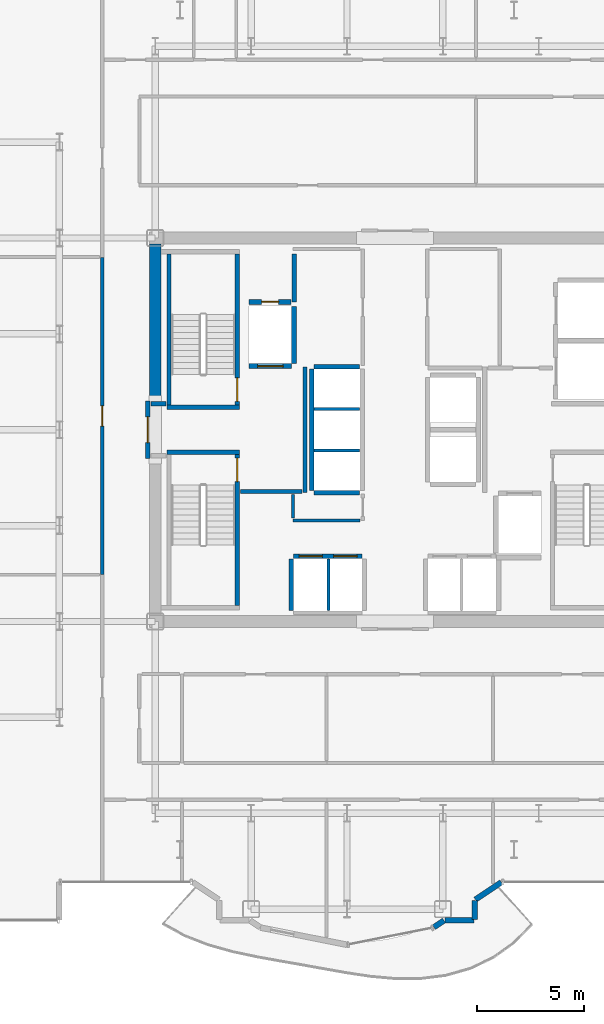
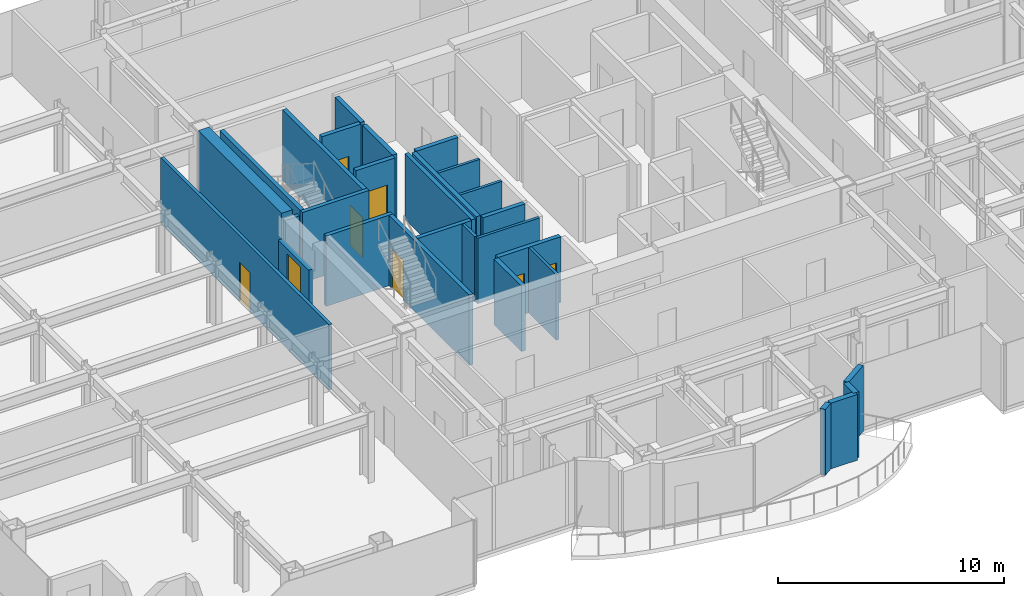
# One storey, part 19 of 25: 29 walls, 8 doors, 8 openings.
"""IFC4 building model written with IfcOpenShell, lengths in metres."""

from ifc_helpers import new_model, si_unit, direction, frame, frame_2d, origin, place, context, subcontext, project, spatial, rectangle, extrude, source, transform, mapped, material, layer, layer_set, type_object, element, fill, save


model = new_model("IFC4")

# Units and contexts
model_context = context("Model", 3, precision=1e-05, world=origin(), true_north=direction((0.0, 1.0)))
body_context = subcontext(model_context, "Body", "Model", "MODEL_VIEW")
ifc_project = project(units=[si_unit("LENGTHUNIT", "METRE"), si_unit("AREAUNIT", "SQUARE_METRE"), si_unit("VOLUMEUNIT", "CUBIC_METRE"), si_unit("PLANEANGLEUNIT", "RADIAN"), si_unit("MASSUNIT", "GRAM", prefix="KILO")], contexts=[model_context])

# Site, building, storey
site_placement = place(None, origin())
site = spatial("IfcSite", under=ifc_project, at=site_placement, CompositionType="ELEMENT")
building_placement = place(site_placement, origin())
building = spatial("IfcBuilding", under=site, at=building_placement, Name="Nefas-Gora Pilgrimage Tower", CompositionType="ELEMENT")
storey_placement = place(building_placement, frame((0.0, 0.0, 194.39990234375)))
storey = spatial("IfcBuildingStorey", under=building, at=storey_placement, Name="L48", CompositionType="ELEMENT", Elevation=194.39990234375)

# Walls
ifc_material_1 = material(Name="Concrete C60/75", Category="concrete")
ifc_layer_1 = layer(ifc_material_1, 0.550048828125)
ifc_layer_set_1 = layer_set([ifc_layer_1], Name="Concrete C60/75")
wall_type_1 = type_object("IfcWallType", Name="SW-CORE-550", PredefinedType="SHEAR", material=ifc_layer_set_1)
shared_shape_1 = source(origin(), body_context, "Body", "SweptSolid", [
    extrude(rectangle(XDim=7.375, YDim=0.550048828125, at=frame_2d((3.6875, 0.0))), origin(), (0.0, 0.0, 1.0), 3.800048828125),
])
wall_1_placement = place(storey_placement, frame((-11.25, 1.35009765625, 0.0), z_axis=(0.0, 0.0, 1.0), x_axis=(0.0, 1.0, 0.0)))
element("IfcWall", 1, at=wall_1_placement, inside=storey, type_object=wall_type_1, Name="L48 Core Shear Wall W-North", PredefinedType="SHEAR", context=body_context, shape_type="MappedRepresentation", body=[
    mapped(shared_shape_1, transform((0.0, 0.0, 0.0), x_axis=(1.0, 0.0, 0.0), y_axis=(0.0, 1.0, 0.0), z_axis=(0.0, 0.0, 1.0), scale=1.0)),
])
ifc_material_2 = material(Name="Precast concrete C40/50", Category="concrete")
ifc_layer_2 = layer(ifc_material_2, 0.260009765625)
ifc_layer_set_2 = layer_set([ifc_layer_2], Name="Precast concrete C40/50")
wall_type_2 = type_object("IfcWallType", Name="EW-PORTAL-260", PredefinedType="SOLIDWALL", material=ifc_layer_set_2)
shared_shape_2 = source(origin(), body_context, "Body", "SweptSolid", [
    extrude(rectangle(XDim=1.468994140625, YDim=0.260009765625, at=frame_2d((0.734375, 0.0))), origin(), (0.0, 0.0, 1.0), 3.550048828125),
])
wall_2_placement = place(storey_placement, frame((3.773193359375, -22.0517578125, 0.0), z_axis=(0.0, 0.0, 1.0), x_axis=(0.831461760506, 0.555581983884, 0.0)))
element("IfcWall", 2, at=wall_2_placement, inside=storey, type_object=wall_type_2, Name="L48 Lobe Shoulder Precast Spandrel Pier 42", PredefinedType="SOLIDWALL", context=body_context, shape_type="MappedRepresentation", body=[
    mapped(shared_shape_2, transform((0.0, 0.0, 0.0), x_axis=(1.0, 0.0, 0.0), y_axis=(0.0, 1.0, 0.0), z_axis=(0.0, 0.0, 1.0), scale=1.0)),
])
shared_shape_3 = source(origin(), body_context, "Body", "SweptSolid", [
    extrude(rectangle(XDim=0.896728515625, YDim=0.260009765625, at=frame_2d((0.4482421875, 0.0))), origin(), (0.0, 0.0, 1.0), 3.550048828125),
])
wall_3_placement = place(storey_placement, frame((3.75, -22.991943359375, 0.0), z_axis=(0.0, 0.0, 1.0), x_axis=(0.0, 1.0, 0.0)))
element("IfcWall", 3, at=wall_3_placement, inside=storey, type_object=wall_type_2, Name="L48 Lobe Shoulder Precast Spandrel Pier 41", PredefinedType="SOLIDWALL", context=body_context, shape_type="MappedRepresentation", body=[
    mapped(shared_shape_3, transform((0.0, 0.0, 0.0), x_axis=(1.0, 0.0, 0.0), y_axis=(0.0, 1.0, 0.0), z_axis=(0.0, 0.0, 1.0), scale=1.0)),
])
shared_shape_4 = source(origin(), body_context, "Body", "SweptSolid", [
    extrude(rectangle(XDim=1.369873046875, YDim=0.260009765625, at=frame_2d((0.68505859375, 0.0))), origin(), (0.0, 0.0, 1.0), 3.550048828125),
])
wall_4_placement = place(storey_placement, frame((2.35205078125, -23.02001953125, 0.0), z_axis=(0.0, 0.0, 1.0), x_axis=(1.0, 0.0, 0.0)))
element("IfcWall", 4, at=wall_4_placement, inside=storey, type_object=wall_type_2, Name="L48 Lobe Shoulder Precast Spandrel Pier 40", PredefinedType="SOLIDWALL", context=body_context, shape_type="MappedRepresentation", body=[
    mapped(shared_shape_4, transform((0.0, 0.0, 0.0), x_axis=(1.0, 0.0, 0.0), y_axis=(0.0, 1.0, 0.0), z_axis=(0.0, 0.0, 1.0), scale=1.0)),
])
shared_shape_5 = source(origin(), body_context, "Body", "SweptSolid", [
    extrude(rectangle(XDim=0.5654296875, YDim=0.260009765625, at=frame_2d((0.28271484375, 0.0))), origin(), (0.0, 0.0, 1.0), 3.550048828125),
])
wall_5_placement = place(storey_placement, frame((1.83056640625, -23.349609375, 0.0), z_axis=(0.0, 0.0, 1.0), x_axis=(0.831651492666, 0.555297933317, 0.0)))
element("IfcWall", 5, at=wall_5_placement, inside=storey, type_object=wall_type_2, Name="L48 Lobe Shoulder Precast Spandrel Pier 39", PredefinedType="SOLIDWALL", context=body_context, shape_type="MappedRepresentation", body=[
    mapped(shared_shape_5, transform((0.0, 0.0, 0.0), x_axis=(1.0, 0.0, 0.0), y_axis=(0.0, 1.0, 0.0), z_axis=(0.0, 0.0, 1.0), scale=1.0)),
])
ifc_material_3 = material(Name="Concrete C45/55", Category="concrete")
ifc_layer_3 = layer(ifc_material_3, 0.199951171875)
ifc_layer_set_3 = layer_set([ifc_layer_3], Name="Concrete C45/55")
wall_type_3 = type_object("IfcWallType", Name="IW-STAIR-200", PredefinedType="SOLIDWALL", material=ifc_layer_set_3)
shared_shape_6 = source(origin(), body_context, "Body", "SweptSolid", [
    extrude(rectangle(XDim=3.39990234375, YDim=0.199951171875, at=frame_2d((1.699951171875, 0.0))), origin(), (0.0, 0.0, 1.0), 3.800048828125),
])
for number, where, z_axis, x_axis, name in (
    (6, (-7.300048828125, 1.050048828125, 0.0), (0.0, 0.0, 1.0), (-1.0, 0.0, 0.0), "L48 Stairwell Shear Wall ST-01-near"),
    (7, (-10.699951171875, -1.050048828125, 0.0), (0.0, 0.0, 1.0), (1.0, 0.0, 0.0), "L48 Stairwell Shear Wall ST-03-near"),
):
    element("IfcWall", number, at=place(storey_placement, frame(where, z_axis=z_axis, x_axis=x_axis)), inside=storey, type_object=wall_type_3, Name=name, PredefinedType="SOLIDWALL", context=body_context, shape_type="MappedRepresentation", body=[
        mapped(shared_shape_6, transform((0.0, 0.0, 0.0), x_axis=(1.0, 0.0, 0.0), y_axis=(0.0, 1.0, 0.0), z_axis=(0.0, 0.0, 1.0), scale=1.0)),
    ])

# Wall, opening, door
shared_shape_7 = source(origin(), body_context, "Body", "SweptSolid", [
    extrude(rectangle(XDim=7.10009765625, YDim=0.199951171875, at=frame_2d((3.550048828125, 0.0))), origin(), (0.0, 0.0, 1.0), 3.800048828125),
])
wall_6_placement = place(storey_placement, frame((-7.39990234375, 1.14990234375, 0.0), z_axis=(0.0, 0.0, 1.0), x_axis=(0.0, 1.0, 0.0)))
wall_6 = element("IfcWall", 8, at=wall_6_placement, inside=storey, type_object=wall_type_3, Name="L48 Stairwell Shear Wall ST-01-left", PredefinedType="SOLIDWALL", context=body_context, shape_type="MappedRepresentation", body=[
    mapped(shared_shape_7, transform((0.0, 0.0, 0.0), x_axis=(1.0, 0.0, 0.0), y_axis=(0.0, 1.0, 0.0), z_axis=(0.0, 0.0, 1.0), scale=1.0)),
])
opening_1_placement = place(wall_6_placement, frame((0.179931640625, 0.0, 0.0)))
opening_1 = element("IfcOpeningElement", 9, at=opening_1_placement, cuts=wall_6, Name="Opening ID-ST1", PredefinedType="OPENING", context=body_context, shape_type="SweptSolid", body=[
    extrude(rectangle(XDim=1.10009765625, YDim=2.14990234375, at=frame_2d((0.550048828125, 1.074951171875))), frame((0.0, 0.10986328125, 0.0), z_axis=(0.0, -1.0, 0.0), x_axis=(1.0, 0.0, 0.0)), (0.0, 0.0, 1.0), 0.219970703125),
])
ifc_material_4 = material(Name="Painted galvanised steel fire stair door", Category="steel")
door_type_1 = type_object("IfcDoorType", Name="DR-INT-STAIR-1100", OperationType="NOTDEFINED", PredefinedType="DOOR", material=ifc_material_4)
shared_shape_8 = source(origin(), body_context, "Body", "SweptSolid", [
    extrude(rectangle(XDim=1.10009765625, YDim=2.14990234375, at=frame_2d((0.550048828125, 1.074951171875))), frame((0.0, 0.02490234375, 0.0), z_axis=(0.0, -1.0, 0.0), x_axis=(1.0, 0.0, 0.0)), (0.0, 0.0, 1.0), 0.050048828125),
])
door_1_placement = place(opening_1_placement, origin())
door_1 = element("IfcDoor", 10, at=door_1_placement, inside=storey, type_object=door_type_1, Name="L48 Protected Exit Stair Door ST-01", OperationType="SINGLE_SWING_RIGHT", OverallHeight=2.14990234375, OverallWidth=1.10009765625, PredefinedType="DOOR", context=body_context, shape_type="MappedRepresentation", body=[
    mapped(shared_shape_8, transform((0.0, 0.0, 0.0), x_axis=(1.0, 0.0, 0.0), y_axis=(0.0, 1.0, 0.0), z_axis=(0.0, 0.0, 1.0), scale=1.0)),
])
fill(opening_1, door_1)

# Wall
wall_7_placement = place(storey_placement, frame((-10.60009765625, 1.14990234375, 0.0), z_axis=(0.0, 0.0, 1.0), x_axis=(0.0, 1.0, 0.0)))
element("IfcWall", 11, at=wall_7_placement, inside=storey, type_object=wall_type_3, Name="L48 Stairwell Shear Wall ST-01-right", PredefinedType="SOLIDWALL", context=body_context, shape_type="MappedRepresentation", body=[
    mapped(shared_shape_7, transform((0.0, 0.0, 0.0), x_axis=(1.0, 0.0, 0.0), y_axis=(0.0, 1.0, 0.0), z_axis=(0.0, 0.0, 1.0), scale=1.0)),
])

# Wall, opening, door
wall_8_placement = place(storey_placement, frame((-7.39990234375, -1.14990234375, 0.0), z_axis=(0.0, 0.0, 1.0), x_axis=(0.0, -1.0, 0.0)))
wall_8 = element("IfcWall", 12, at=wall_8_placement, inside=storey, type_object=wall_type_3, Name="L48 Stairwell Shear Wall ST-03-right", PredefinedType="SOLIDWALL", context=body_context, shape_type="MappedRepresentation", body=[
    mapped(shared_shape_7, transform((0.0, 0.0, 0.0), x_axis=(1.0, 0.0, 0.0), y_axis=(0.0, 1.0, 0.0), z_axis=(0.0, 0.0, 1.0), scale=1.0)),
])
opening_2_placement = place(wall_8_placement, frame((0.179931640625, 0.0, 0.0)))
opening_2 = element("IfcOpeningElement", 13, at=opening_2_placement, cuts=wall_8, Name="Opening ID-ST1", PredefinedType="OPENING", context=body_context, shape_type="SweptSolid", body=[
    extrude(rectangle(XDim=1.10009765625, YDim=2.14990234375, at=frame_2d((0.550048828125, 1.074951171875))), frame((0.0, 0.10986328125, 0.0), z_axis=(0.0, -1.0, 0.0), x_axis=(1.0, 0.0, 0.0)), (0.0, 0.0, 1.0), 0.219970703125),
])
door_2_placement = place(opening_2_placement, origin())
door_2 = element("IfcDoor", 14, at=door_2_placement, inside=storey, type_object=door_type_1, Name="L48 Protected Exit Stair Door ST-03", OperationType="SINGLE_SWING_RIGHT", OverallHeight=2.14990234375, OverallWidth=1.10009765625, PredefinedType="DOOR", context=body_context, shape_type="MappedRepresentation", body=[
    mapped(shared_shape_8, transform((0.0, 0.0, 0.0), x_axis=(1.0, 0.0, 0.0), y_axis=(0.0, 1.0, 0.0), z_axis=(0.0, 0.0, 1.0), scale=1.0)),
])
fill(opening_2, door_2)

ifc_material_5 = material(Name="Concrete C40/50", Category="concrete")
ifc_layer_4 = layer(ifc_material_5, 0.219970703125)
ifc_layer_set_4 = layer_set([ifc_layer_4], Name="Concrete C40/50")
wall_type_4 = type_object("IfcWallType", Name="IW-SHAFT-220", PredefinedType="SOLIDWALL", material=ifc_layer_set_4)
shared_shape_9 = source(origin(), body_context, "Body", "SweptSolid", [
    extrude(rectangle(XDim=2.0, YDim=0.219970703125, at=frame_2d((1.0, 0.0))), origin(), (0.0, 0.0, 1.0), 3.53515625),
])
wall_9_placement = place(storey_placement, frame((-6.85009765625, 2.989990234375, 0.0), z_axis=(0.0, 0.0, 1.0), x_axis=(1.0, 0.0, 0.0)))
wall_9 = element("IfcWall", 15, at=wall_9_placement, inside=storey, type_object=wall_type_4, Name="L48 Hoistway Wall FFL-01-S", PredefinedType="SOLIDWALL", context=body_context, shape_type="MappedRepresentation", body=[
    mapped(shared_shape_9, transform((0.0, 0.0, 0.0), x_axis=(1.0, 0.0, 0.0), y_axis=(0.0, 1.0, 0.0), z_axis=(0.0, 0.0, 1.0), scale=1.0)),
])
opening_3_placement = place(wall_9_placement, frame((0.39990234375, 0.0, 0.0)))
opening_3 = element("IfcOpeningElement", 16, at=opening_3_placement, cuts=wall_9, Name="Opening LD-FF", PredefinedType="OPENING", context=body_context, shape_type="SweptSolid", body=[
    extrude(rectangle(XDim=1.199951171875, YDim=2.199951171875, at=frame_2d((0.60009765625, 1.10009765625))), frame((0.0, 0.119873046875, 0.0), z_axis=(0.0, -1.0, 0.0), x_axis=(1.0, 0.0, 0.0)), (0.0, 0.0, 1.0), 0.239990234375),
])
ifc_material_6 = material(Name="Fire-service sliding lift landing door")
door_type_2 = type_object("IfcDoorType", Name="DR-LIFT-FSAE-1200", OperationType="SLIDING_TO_LEFT", PredefinedType="DOOR", material=ifc_material_6)
shared_shape_10 = source(origin(), body_context, "Body", "SweptSolid", [
    extrude(rectangle(XDim=1.199951171875, YDim=2.199951171875, at=frame_2d((0.60009765625, 1.10009765625))), frame((0.0, 0.02490234375, 0.0), z_axis=(0.0, -1.0, 0.0), x_axis=(1.0, 0.0, 0.0)), (0.0, 0.0, 1.0), 0.050048828125),
])
door_3_placement = place(opening_3_placement, origin())
door_3 = element("IfcDoor", 17, at=door_3_placement, inside=storey, type_object=door_type_2, Name="L48 Sliding Lift Landing Door FFL-01", OperationType="SLIDING_TO_LEFT", OverallHeight=2.199951171875, OverallWidth=1.199951171875, PredefinedType="DOOR", context=body_context, shape_type="MappedRepresentation", body=[
    mapped(shared_shape_10, transform((0.0, 0.0, 0.0), x_axis=(1.0, 0.0, 0.0), y_axis=(0.0, 1.0, 0.0), z_axis=(0.0, 0.0, 1.0), scale=1.0)),
])
fill(opening_3, door_3)

# Wall
shared_shape_11 = source(origin(), body_context, "Body", "SweptSolid", [
    extrude(rectangle(XDim=2.679931640625, YDim=0.219970703125, at=frame_2d((1.33984375, 0.0))), origin(), (0.0, 0.0, 1.0), 3.53515625),
])
wall_10_placement = place(storey_placement, frame((-4.739990234375, 3.110107421875, 0.0), z_axis=(0.0, 0.0, 1.0), x_axis=(0.0, 1.0, 0.0)))
element("IfcWall", 18, at=wall_10_placement, inside=storey, type_object=wall_type_4, Name="L48 Hoistway Wall FFL-01-E", PredefinedType="SOLIDWALL", context=body_context, shape_type="MappedRepresentation", body=[
    mapped(shared_shape_11, transform((0.0, 0.0, 0.0), x_axis=(1.0, 0.0, 0.0), y_axis=(0.0, 1.0, 0.0), z_axis=(0.0, 0.0, 1.0), scale=1.0)),
])

# Wall, openings, doors
shared_shape_12 = source(origin(), body_context, "Body", "SweptSolid", [
    extrude(rectangle(XDim=3.199951171875, YDim=0.219970703125, at=frame_2d((1.60009765625, 0.0))), origin(), (0.0, 0.0, 1.0), 3.53515625),
])
wall_11_placement = place(storey_placement, frame((-1.550048828125, -5.93994140625, 0.0), z_axis=(0.0, 0.0, 1.0), x_axis=(-1.0, 0.0, 0.0)))
wall_11 = element("IfcWall", 19, at=wall_11_placement, inside=storey, type_object=wall_type_4, Name="L48 Hoistway Wall PL2-W-N", PredefinedType="SOLIDWALL", context=body_context, shape_type="MappedRepresentation", body=[
    mapped(shared_shape_12, transform((0.0, 0.0, 0.0), x_axis=(1.0, 0.0, 0.0), y_axis=(0.0, 1.0, 0.0), z_axis=(0.0, 0.0, 1.0), scale=1.0)),
])
opening_4_placement = place(wall_11_placement, frame((1.85009765625, 0.0, 0.0)))
opening_4 = element("IfcOpeningElement", 20, at=opening_4_placement, cuts=wall_11, Name="Opening LD-01", PredefinedType="OPENING", context=body_context, shape_type="SweptSolid", body=[
    extrude(rectangle(XDim=1.10009765625, YDim=2.199951171875, at=frame_2d((0.550048828125, 1.10009765625))), frame((0.0, 0.119873046875, 0.0), z_axis=(0.0, -1.0, 0.0), x_axis=(1.0, 0.0, 0.0)), (0.0, 0.0, 1.0), 0.239990234375),
])
opening_5_placement = place(wall_11_placement, frame((0.22509765625, 0.0, 0.0)))
opening_5 = element("IfcOpeningElement", 21, at=opening_5_placement, cuts=wall_11, Name="Opening LD-01", PredefinedType="OPENING", context=body_context, shape_type="SweptSolid", body=[
    extrude(rectangle(XDim=1.10009765625, YDim=2.199951171875, at=frame_2d((0.550048828125, 1.10009765625))), frame((0.0, 0.119873046875, 0.0), z_axis=(0.0, -1.0, 0.0), x_axis=(1.0, 0.0, 0.0)), (0.0, 0.0, 1.0), 0.239990234375),
])
ifc_material_7 = material(Name="Brushed stainless sliding lift landing door")
door_type_3 = type_object("IfcDoorType", Name="DR-LIFT-PASS-1100", OperationType="DOUBLE_DOOR_SLIDING", PredefinedType="DOOR", material=ifc_material_7)
shared_shape_13 = source(origin(), body_context, "Body", "SweptSolid", [
    extrude(rectangle(XDim=1.10009765625, YDim=2.199951171875, at=frame_2d((0.550048828125, 1.10009765625))), frame((0.0, 0.02490234375, 0.0), z_axis=(0.0, -1.0, 0.0), x_axis=(1.0, 0.0, 0.0)), (0.0, 0.0, 1.0), 0.050048828125),
])
door_4_placement = place(opening_4_placement, origin())
door_4 = element("IfcDoor", 22, at=door_4_placement, inside=storey, type_object=door_type_3, Name="L48 Sliding Lift Landing Door PL2-01", OperationType="DOUBLE_DOOR_SLIDING", OverallHeight=2.199951171875, OverallWidth=1.10009765625, PredefinedType="DOOR", context=body_context, shape_type="MappedRepresentation", body=[
    mapped(shared_shape_13, transform((0.0, 0.0, 0.0), x_axis=(1.0, 0.0, 0.0), y_axis=(0.0, 1.0, 0.0), z_axis=(0.0, 0.0, 1.0), scale=1.0)),
])
fill(opening_4, door_4)
door_5_placement = place(opening_5_placement, origin())
door_5 = element("IfcDoor", 23, at=door_5_placement, inside=storey, type_object=door_type_3, Name="L48 Sliding Lift Landing Door PL2-02", OperationType="DOUBLE_DOOR_SLIDING", OverallHeight=2.199951171875, OverallWidth=1.10009765625, PredefinedType="DOOR", context=body_context, shape_type="MappedRepresentation", body=[
    mapped(shared_shape_13, transform((0.0, 0.0, 0.0), x_axis=(1.0, 0.0, 0.0), y_axis=(0.0, 1.0, 0.0), z_axis=(0.0, 0.0, 1.0), scale=1.0)),
])
fill(opening_5, door_5)

# Walls
shared_shape_14 = source(origin(), body_context, "Body", "SweptSolid", [
    extrude(rectangle(XDim=2.429931640625, YDim=0.219970703125, at=frame_2d((1.21484375, 0.0))), origin(), (0.0, 0.0, 1.0), 3.53515625),
])
wall_12_placement = place(storey_placement, frame((-4.860107421875, -6.06005859375, 0.0), z_axis=(0.0, 0.0, 1.0), x_axis=(0.0, -1.0, 0.0)))
element("IfcWall", 24, at=wall_12_placement, inside=storey, type_object=wall_type_4, Name="L48 Hoistway Wall PL2-W-W", PredefinedType="SOLIDWALL", context=body_context, shape_type="MappedRepresentation", body=[
    mapped(shared_shape_14, transform((0.0, 0.0, 0.0), x_axis=(1.0, 0.0, 0.0), y_axis=(0.0, 1.0, 0.0), z_axis=(0.0, 0.0, 1.0), scale=1.0)),
])
ifc_material_8 = material(Name="Gypsum twin-stud partition")
ifc_layer_5 = layer(ifc_material_8, 0.139892578125)
ifc_layer_set_5 = layer_set([ifc_layer_5], Name="Gypsum twin-stud partition")
wall_type_5 = type_object("IfcWallType", Name="IW-UNIT-140", PredefinedType="PARTITIONING", material=ifc_layer_set_5)
shared_shape_15 = source(origin(), body_context, "Body", "SweptSolid", [
    extrude(rectangle(XDim=2.429931640625, YDim=0.139892578125, at=frame_2d((1.21484375, 0.0))), origin(), (0.0, 0.0, 1.0), 3.53515625),
])
wall_13_placement = place(storey_placement, frame((-3.125, -8.489990234375, 0.0), z_axis=(0.0, 0.0, 1.0), x_axis=(0.0, 1.0, 0.0)))
element("IfcWall", 25, at=wall_13_placement, inside=storey, type_object=wall_type_5, Name="L48 Hoistway Wall PL2-W-DIV", PredefinedType="PARTITIONING", context=body_context, shape_type="MappedRepresentation", body=[
    mapped(shared_shape_15, transform((0.0, 0.0, 0.0), x_axis=(1.0, 0.0, 0.0), y_axis=(0.0, 1.0, 0.0), z_axis=(0.0, 0.0, 1.0), scale=1.0)),
])
shared_shape_16 = source(origin(), body_context, "Body", "SweptSolid", [
    extrude(rectangle(XDim=5.7001953125, YDim=0.219970703125, at=frame_2d((2.85009765625, 0.0))), origin(), (0.0, 0.0, 1.0), 3.53515625),
])
wall_14_placement = place(storey_placement, frame((-3.909912109375, 2.85009765625, 0.0), z_axis=(0.0, 0.0, 1.0), x_axis=(0.0, -1.0, 0.0)))
element("IfcWall", 26, at=wall_14_placement, inside=storey, type_object=wall_type_4, Name="L48 Hoistway Wall PL3-01-03-W", PredefinedType="SOLIDWALL", context=body_context, shape_type="MappedRepresentation", body=[
    mapped(shared_shape_16, transform((0.0, 0.0, 0.0), x_axis=(1.0, 0.0, 0.0), y_axis=(0.0, 1.0, 0.0), z_axis=(0.0, 0.0, 1.0), scale=1.0)),
])
shared_shape_17 = source(origin(), body_context, "Body", "SweptSolid", [
    extrude(rectangle(XDim=2.130126953125, YDim=0.219970703125, at=frame_2d((1.06494140625, 0.0))), origin(), (0.0, 0.0, 1.0), 3.53515625),
])
for number, where, z_axis, x_axis, name in (
    (27, (-3.7900390625, -2.9599609375, 0.0), (0.0, 0.0, 1.0), (1.0, 0.0, 0.0), "L48 Hoistway Wall PL3-01-S"),
    (28, (-1.659912109375, 2.9599609375, 0.0), (0.0, 0.0, 1.0), (-1.0, 0.0, 0.0), "L48 Hoistway Wall PL3-03-N"),
):
    element("IfcWall", number, at=place(storey_placement, frame(where, z_axis=z_axis, x_axis=x_axis)), inside=storey, type_object=wall_type_4, Name=name, PredefinedType="SOLIDWALL", context=body_context, shape_type="MappedRepresentation", body=[
        mapped(shared_shape_17, transform((0.0, 0.0, 0.0), x_axis=(1.0, 0.0, 0.0), y_axis=(0.0, 1.0, 0.0), z_axis=(0.0, 0.0, 1.0), scale=1.0)),
    ])
shared_shape_18 = source(origin(), body_context, "Body", "SweptSolid", [
    extrude(rectangle(XDim=2.130126953125, YDim=0.139892578125, at=frame_2d((1.06494140625, 0.0))), origin(), (0.0, 0.0, 1.0), 3.53515625),
])
for number, where, z_axis, x_axis, name in (
    (29, (-3.7900390625, -0.97509765625, 0.0), (0.0, 0.0, 1.0), (1.0, 0.0, 0.0), "L48 Hoistway Wall PL3-01-02-DIV"),
    (30, (-3.7900390625, 0.97509765625, 0.0), (0.0, 0.0, 1.0), (1.0, 0.0, 0.0), "L48 Hoistway Wall PL3-02-03-DIV"),
):
    element("IfcWall", number, at=place(storey_placement, frame(where, z_axis=z_axis, x_axis=x_axis)), inside=storey, type_object=wall_type_5, Name=name, PredefinedType="PARTITIONING", context=body_context, shape_type="MappedRepresentation", body=[
        mapped(shared_shape_18, transform((0.0, 0.0, 0.0), x_axis=(1.0, 0.0, 0.0), y_axis=(0.0, 1.0, 0.0), z_axis=(0.0, 0.0, 1.0), scale=1.0)),
    ])

# Wall, opening, door
ifc_material_9 = material(Name="Gypsum fire-rated shaftwall")
ifc_layer_6 = layer(ifc_material_9, 0.199951171875)
ifc_layer_set_6 = layer_set([ifc_layer_6], Name="Gypsum fire-rated shaftwall")
wall_type_6 = type_object("IfcWallType", Name="IW-FFLOB-200", PredefinedType="PARTITIONING", material=ifc_layer_set_6)
shared_shape_19 = source(origin(), body_context, "Body", "SweptSolid", [
    extrude(rectangle(XDim=2.7001953125, YDim=0.199951171875, at=frame_2d((1.35009765625, 0.0))), origin(), (0.0, 0.0, 1.0), 2.425048828125),
])
wall_15_placement = place(storey_placement, frame((-11.60009765625, -1.35009765625, 0.0), z_axis=(0.0, 0.0, 1.0), x_axis=(0.0, 1.0, 0.0)))
wall_15 = element("IfcWall", 31, at=wall_15_placement, inside=storey, type_object=wall_type_6, Name="L48 FF Lobby West Portal Wall 4", PredefinedType="PARTITIONING", context=body_context, shape_type="MappedRepresentation", body=[
    mapped(shared_shape_19, transform((0.0, 0.0, 0.0), x_axis=(1.0, 0.0, 0.0), y_axis=(0.0, 1.0, 0.0), z_axis=(0.0, 0.0, 1.0), scale=1.0)),
])
opening_6_placement = place(wall_15_placement, frame((0.75, 0.0, 0.0)))
opening_6 = element("IfcOpeningElement", 32, at=opening_6_placement, cuts=wall_15, Name="Opening ID-FF1", PredefinedType="OPENING", context=body_context, shape_type="SweptSolid", body=[
    extrude(rectangle(XDim=1.199951171875, YDim=2.14990234375, at=frame_2d((0.60009765625, 1.074951171875))), frame((0.0, 0.10986328125, 0.0), z_axis=(0.0, -1.0, 0.0), x_axis=(1.0, 0.0, 0.0)), (0.0, 0.0, 1.0), 0.219970703125),
])
ifc_material_10 = material(Name="Smoke-sealed steel firefighting lobby door", Category="steel")
door_type_4 = type_object("IfcDoorType", Name="DR-INT-FFLOB-1200", OperationType="NOTDEFINED", PredefinedType="DOOR", material=ifc_material_10)
shared_shape_20 = source(origin(), body_context, "Body", "SweptSolid", [
    extrude(rectangle(XDim=1.199951171875, YDim=2.14990234375, at=frame_2d((0.60009765625, 1.074951171875))), frame((0.0, 0.02490234375, 0.0), z_axis=(0.0, -1.0, 0.0), x_axis=(1.0, 0.0, 0.0)), (0.0, 0.0, 1.0), 0.050048828125),
])
door_6_placement = place(opening_6_placement, origin())
door_6 = element("IfcDoor", 33, at=door_6_placement, inside=storey, type_object=door_type_4, Name="L48 FF Lobby West Portal Door 2", OperationType="SINGLE_SWING_LEFT", OverallHeight=2.14990234375, OverallWidth=1.199951171875, PredefinedType="DOOR", context=body_context, shape_type="MappedRepresentation", body=[
    mapped(shared_shape_20, transform((0.0, 0.0, 0.0), x_axis=(1.0, 0.0, 0.0), y_axis=(0.0, 1.0, 0.0), z_axis=(0.0, 0.0, 1.0), scale=1.0)),
])
fill(opening_6, door_6)

# Walls
shared_shape_21 = source(origin(), body_context, "Body", "SweptSolid", [
    extrude(rectangle(XDim=5.89990234375, YDim=0.199951171875, at=frame_2d((2.949951171875, 0.0))), origin(), (0.0, 0.0, 1.0), 3.53515625),
])
wall_16_placement = place(storey_placement, frame((-4.219970703125, -2.949951171875, 0.0), z_axis=(0.0, 0.0, 1.0), x_axis=(0.0, 1.0, 0.0)))
element("IfcWall", 34, at=wall_16_placement, inside=storey, type_object=wall_type_6, Name="L48 FF Lobby West Inner Wall Wall 5", PredefinedType="PARTITIONING", context=body_context, shape_type="MappedRepresentation", body=[
    mapped(shared_shape_21, transform((0.0, 0.0, 0.0), x_axis=(1.0, 0.0, 0.0), y_axis=(0.0, 1.0, 0.0), z_axis=(0.0, 0.0, 1.0), scale=1.0)),
])
shared_shape_22 = source(origin(), body_context, "Body", "SweptSolid", [
    extrude(rectangle(XDim=2.89990234375, YDim=0.199951171875, at=frame_2d((1.449951171875, 0.0))), origin(), (0.0, 0.0, 1.0), 3.53515625),
])
wall_17_placement = place(storey_placement, frame((-7.260009765625, -2.89990234375, 0.0), z_axis=(0.0, 0.0, 1.0), x_axis=(1.0, 0.0, 0.0)))
element("IfcWall", 35, at=wall_17_placement, inside=storey, type_object=wall_type_6, Name="L48 FF Lobby West South Wall Wall 6", PredefinedType="PARTITIONING", context=body_context, shape_type="MappedRepresentation", body=[
    mapped(shared_shape_22, transform((0.0, 0.0, 0.0), x_axis=(1.0, 0.0, 0.0), y_axis=(0.0, 1.0, 0.0), z_axis=(0.0, 0.0, 1.0), scale=1.0)),
])
shared_shape_23 = source(origin(), body_context, "Body", "SweptSolid", [
    extrude(rectangle(XDim=0.719970703125, YDim=0.199951171875, at=frame_2d((0.35986328125, 0.0))), origin(), (0.0, 0.0, 1.0), 3.53515625),
])
wall_18_placement = place(storey_placement, frame((-11.4599609375, 1.219970703125, 0.0), z_axis=(0.0, 0.0, 1.0), x_axis=(1.0, 0.0, 0.0)))
element("IfcWall", 36, at=wall_18_placement, inside=storey, type_object=wall_type_6, Name="L48 FF Lobby West Throat N Wall 7", PredefinedType="PARTITIONING", context=body_context, shape_type="MappedRepresentation", body=[
    mapped(shared_shape_23, transform((0.0, 0.0, 0.0), x_axis=(1.0, 0.0, 0.0), y_axis=(0.0, 1.0, 0.0), z_axis=(0.0, 0.0, 1.0), scale=1.0)),
])
shared_shape_24 = source(origin(), body_context, "Body", "SweptSolid", [
    extrude(rectangle(XDim=3.150146484375, YDim=0.139892578125, at=frame_2d((1.5751953125, 0.0))), origin(), (0.0, 0.0, 1.0), 3.53515625),
])
wall_19_placement = place(storey_placement, frame((-4.7900390625, -4.25, 0.0), z_axis=(0.0, 0.0, 1.0), x_axis=(1.0, 0.0, 0.0)))
element("IfcWall", 37, at=wall_19_placement, inside=storey, type_object=wall_type_5, Name="L48 Pilgrim Baggage and Gear Vault Partition Wall 21", PredefinedType="PARTITIONING", context=body_context, shape_type="MappedRepresentation", body=[
    mapped(shared_shape_24, transform((0.0, 0.0, 0.0), x_axis=(1.0, 0.0, 0.0), y_axis=(0.0, 1.0, 0.0), z_axis=(0.0, 0.0, 1.0), scale=1.0)),
])
shared_shape_25 = source(origin(), body_context, "Body", "SweptSolid", [
    extrude(rectangle(XDim=2.25, YDim=0.219970703125, at=frame_2d((1.125, 0.0))), origin(), (0.0, 0.0, 1.0), 3.53515625),
])
wall_20_placement = place(storey_placement, frame((-4.719970703125, 6.0, 0.0), z_axis=(0.0, 0.0, 1.0), x_axis=(0.0, 1.0, 0.0)))
element("IfcWall", 38, at=wall_20_placement, inside=storey, type_object=wall_type_4, Name="L48 Riser Shaft Wall 1", PredefinedType="SOLIDWALL", context=body_context, shape_type="MappedRepresentation", body=[
    mapped(shared_shape_25, transform((0.0, 0.0, 0.0), x_axis=(1.0, 0.0, 0.0), y_axis=(0.0, 1.0, 0.0), z_axis=(0.0, 0.0, 1.0), scale=1.0)),
])

# Wall, opening, door
shared_shape_26 = source(origin(), body_context, "Body", "SweptSolid", [
    extrude(rectangle(XDim=1.97998046875, YDim=0.219970703125, at=frame_2d((0.989990234375, 0.0))), origin(), (0.0, 0.0, 1.0), 3.53515625),
])
wall_21_placement = place(storey_placement, frame((-6.85009765625, 6.0, 0.0), z_axis=(0.0, 0.0, 1.0), x_axis=(1.0, 0.0, 0.0)))
wall_21 = element("IfcWall", 39, at=wall_21_placement, inside=storey, type_object=wall_type_4, Name="L48 Riser Shaft Wall 2", PredefinedType="SOLIDWALL", context=body_context, shape_type="MappedRepresentation", body=[
    mapped(shared_shape_26, transform((0.0, 0.0, 0.0), x_axis=(1.0, 0.0, 0.0), y_axis=(0.0, 1.0, 0.0), z_axis=(0.0, 0.0, 1.0), scale=1.0)),
])
opening_7_placement = place(wall_21_placement, frame((0.590087890625, 0.0, 0.0)))
opening_7 = element("IfcOpeningElement", 40, at=opening_7_placement, cuts=wall_21, Name="Opening ID-TR1", PredefinedType="OPENING", context=body_context, shape_type="SweptSolid", body=[
    extrude(rectangle(XDim=0.800048828125, YDim=2.0, at=frame_2d((0.39990234375, 1.0))), frame((0.0, 0.119873046875, 0.0), z_axis=(0.0, -1.0, 0.0), x_axis=(1.0, 0.0, 0.0)), (0.0, 0.0, 1.0), 0.239990234375),
])
ifc_material_11 = material(Name="Riser maintenance fire access door")
door_type_5 = type_object("IfcDoorType", Name="DR-INT-TRAP-800", OperationType="NOTDEFINED", PredefinedType="TRAPDOOR", material=ifc_material_11)
shared_shape_27 = source(origin(), body_context, "Body", "SweptSolid", [
    extrude(rectangle(XDim=0.800048828125, YDim=2.0, at=frame_2d((0.39990234375, 1.0))), frame((0.0, 0.02490234375, 0.0), z_axis=(0.0, -1.0, 0.0), x_axis=(1.0, 0.0, 0.0)), (0.0, 0.0, 1.0), 0.050048828125),
])
door_7_placement = place(opening_7_placement, origin())
door_7 = element("IfcDoor", 41, at=door_7_placement, inside=storey, type_object=door_type_5, Name="L48 Riser Shaft Door 1", OperationType="SINGLE_SWING_RIGHT", OverallHeight=2.0, OverallWidth=0.800048828125, PredefinedType="TRAPDOOR", context=body_context, shape_type="MappedRepresentation", body=[
    mapped(shared_shape_27, transform((0.0, 0.0, 0.0), x_axis=(1.0, 0.0, 0.0), y_axis=(0.0, 1.0, 0.0), z_axis=(0.0, 0.0, 1.0), scale=1.0)),
])
fill(opening_7, door_7)

# Wall
shared_shape_28 = source(origin(), body_context, "Body", "SweptSolid", [
    extrude(rectangle(XDim=1.099853515625, YDim=0.139892578125, at=frame_2d((0.5498046875, 0.0))), origin(), (0.0, 0.0, 1.0), 3.53515625),
])
wall_22_placement = place(storey_placement, frame((-4.780029296875, -4.139892578125, 0.0), z_axis=(0.0, 0.0, 1.0), x_axis=(0.0, 1.0, 0.0)))
element("IfcWall", 42, at=wall_22_placement, inside=storey, type_object=wall_type_5, Name="L48 Pilgrim Baggage and Gear Vault Partition Wall 22", PredefinedType="PARTITIONING", context=body_context, shape_type="MappedRepresentation", body=[
    mapped(shared_shape_28, transform((0.0, 0.0, 0.0), x_axis=(1.0, 0.0, 0.0), y_axis=(0.0, 1.0, 0.0), z_axis=(0.0, 0.0, 1.0), scale=1.0)),
])

# Wall, opening, door
ifc_material_12 = material(Name="Gypsum acoustic stud partition")
ifc_layer_7 = layer(ifc_material_12, 0.159912109375)
ifc_layer_set_7 = layer_set([ifc_layer_7], Name="Gypsum acoustic stud partition")
wall_type_7 = type_object("IfcWallType", Name="IW-CORR-160", PredefinedType="PARTITIONING", material=ifc_layer_set_7)
shared_shape_29 = source(origin(), body_context, "Body", "SweptSolid", [
    extrude(rectangle(XDim=14.892333984375, YDim=0.159912109375, at=frame_2d((7.4462890625, 0.0))), origin(), (0.0, 0.0, 1.0), 3.53515625),
])
wall_23_placement = place(storey_placement, frame((-13.739990234375, -6.804931640625, 0.0), z_axis=(0.0, 0.0, 1.0), x_axis=(0.0, 1.0, 0.0)))
wall_23 = element("IfcWall", 43, at=wall_23_placement, inside=storey, type_object=wall_type_7, Name="L48 Pilgrim Devotional Prayer Gallery Partition Wall 32", PredefinedType="PARTITIONING", context=body_context, shape_type="MappedRepresentation", body=[
    mapped(shared_shape_29, transform((0.0, 0.0, 0.0), x_axis=(1.0, 0.0, 0.0), y_axis=(0.0, 1.0, 0.0), z_axis=(0.0, 0.0, 1.0), scale=1.0)),
])
opening_8_placement = place(wall_23_placement, frame((6.97119140625, 0.0, 0.0)))
opening_8 = element("IfcOpeningElement", 44, at=opening_8_placement, cuts=wall_23, Name="Opening ID-GR1", PredefinedType="OPENING", context=body_context, shape_type="SweptSolid", body=[
    extrude(rectangle(XDim=0.949951171875, YDim=2.10009765625, at=frame_2d((0.47509765625, 1.050048828125))), frame((0.0, 0.08984375, 0.0), z_axis=(0.0, -1.0, 0.0), x_axis=(1.0, 0.0, 0.0)), (0.0, 0.0, 1.0), 0.179931640625),
])
ifc_material_13 = material(Name="Solid core oak fire-rated guest entrance door")
door_type_6 = type_object("IfcDoorType", Name="DR-INT-GUEST-950", OperationType="NOTDEFINED", PredefinedType="DOOR", material=ifc_material_13)
shared_shape_30 = source(origin(), body_context, "Body", "SweptSolid", [
    extrude(rectangle(XDim=0.949951171875, YDim=2.10009765625, at=frame_2d((0.47509765625, 1.050048828125))), frame((0.0, 0.02490234375, 0.0), z_axis=(0.0, -1.0, 0.0), x_axis=(1.0, 0.0, 0.0)), (0.0, 0.0, 1.0), 0.050048828125),
])
door_8_placement = place(opening_8_placement, origin())
door_8 = element("IfcDoor", 45, at=door_8_placement, inside=storey, type_object=door_type_6, Name="L48 Pilgrim Devotional Prayer Gallery Door 13", OperationType="SINGLE_SWING_RIGHT", OverallHeight=2.10009765625, OverallWidth=0.949951171875, PredefinedType="DOOR", context=body_context, shape_type="MappedRepresentation", body=[
    mapped(shared_shape_30, transform((0.0, 0.0, 0.0), x_axis=(1.0, 0.0, 0.0), y_axis=(0.0, 1.0, 0.0), z_axis=(0.0, 0.0, 1.0), scale=1.0)),
])
fill(opening_8, door_8)

save(model, "model.ifc")
